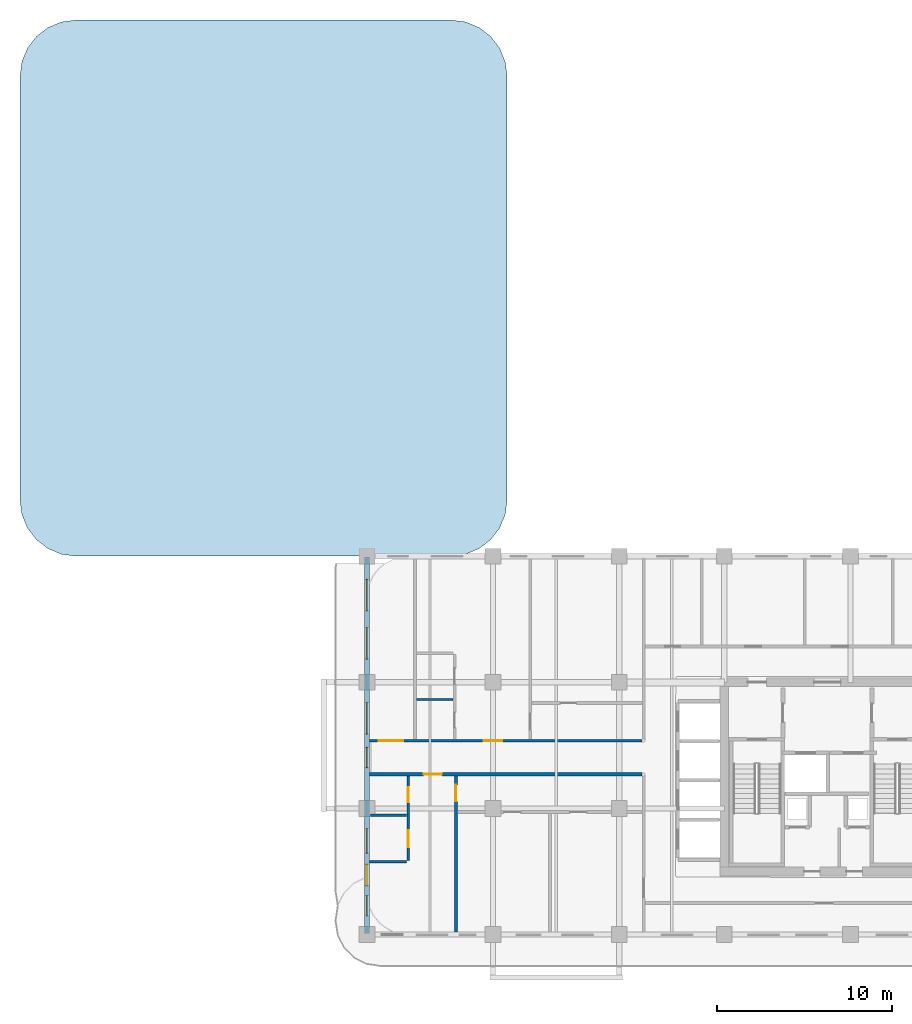
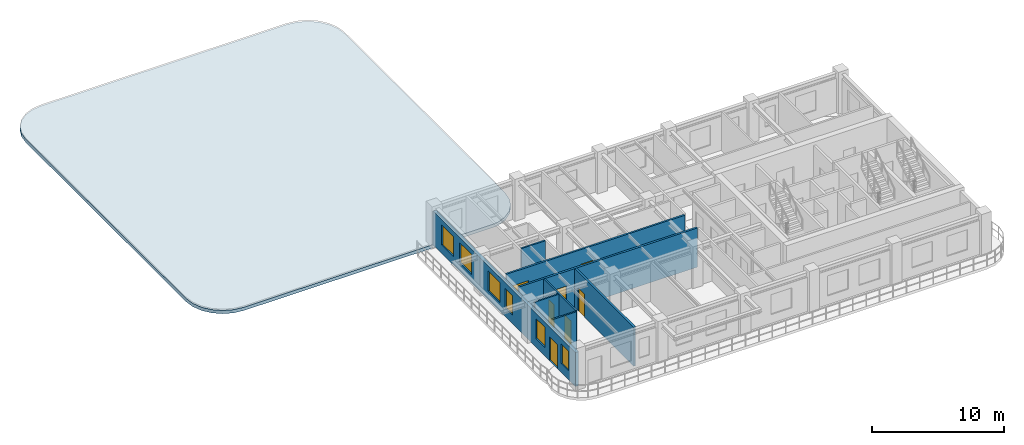
# One storey, part 2 of 8: 8 walls, 7 doors, 6 windows, 1 slab, 13 openings.
"""IFC4 building model written with IfcOpenShell, lengths in metres."""

from ifc_helpers import new_model, si_unit, derived_unit, direction, frame, frame_2d, origin, place, context, subcontext, project, spatial, polyline, rectangle, outline, extrude, source, transform, mapped, material, layer, layer_set, type_object, type_shapes, element, fill, save


model = new_model("IFC4")

# Units and contexts
model_context = context("Model", 3, precision=1e-05, world=origin(), true_north=direction((0.0, 1.0)))
body_context = subcontext(model_context, "Body", "Model", "MODEL_VIEW")
ifc_project = project(units=[si_unit("LENGTHUNIT", "METRE"), si_unit("AREAUNIT", "SQUARE_METRE"), si_unit("VOLUMEUNIT", "CUBIC_METRE"), si_unit("PLANEANGLEUNIT", "RADIAN"), si_unit("MASSUNIT", "GRAM", prefix="KILO"), si_unit("THERMODYNAMICTEMPERATUREUNIT", "KELVIN"), si_unit("POWERUNIT", "WATT"), derived_unit("THERMALTRANSMITTANCEUNIT", [(si_unit("POWERUNIT", "WATT"), 1), (si_unit("AREAUNIT", "SQUARE_METRE"), -1), (si_unit("THERMODYNAMICTEMPERATUREUNIT", "KELVIN"), -1)])], contexts=[model_context])

# Site, building, storey
site_placement = place(None, origin())
site = spatial("IfcSite", under=ifc_project, at=site_placement, CompositionType="ELEMENT")
building_placement = place(site_placement, origin())
building = spatial("IfcBuilding", under=site, at=building_placement, Name="Zahravan Archway Hotel and Residences", CompositionType="ELEMENT")
storey_placement = place(building_placement, frame((0.0, 0.0, 213.449951171875)))
storey = spatial("IfcBuildingStorey", under=building, at=storey_placement, Name="L53", CompositionType="ELEMENT", Elevation=213.449951171875)

# Slab
ifc_material_1 = material(Name="Concrete C50/60", Category="concrete")
ifc_layer_1 = layer(ifc_material_1, 0.300048828125, Name="Concrete C50/60", Category="concrete")
ifc_layer_set_1 = layer_set([ifc_layer_1], Name="Concrete C50/60")
slab_type = type_object("IfcSlabType", Name="SLB-ROOF-300", PredefinedType="ROOF", material=ifc_layer_set_1)
slab_placement = place(storey_placement, frame((0.0, 0.0, -0.300048828125)))
element("IfcSlab", 1, at=slab_placement, inside=storey, type_object=slab_type, Name="Wing B Overhanging Flat Shading Roof Canopy Slab 300 mm", PredefinedType="ROOF", context=body_context, shape_type="SweptSolid", body=[
    extrude(outline(polyline([(-2.199951171875, 21.60009765625), (-3.0283203125, 21.708984375), (-3.800048828125, 22.02880859375), (-4.462646484375, 22.537353515625), (-4.97119140625, 23.199951171875), (-5.291015625, 23.9716796875), (-5.39990234375, 24.800048828125), (-5.39990234375, 49.0), (-5.291015625, 49.828125), (-4.97119140625, 50.60009765625), (-4.462646484375, 51.2626953125), (-3.800048828125, 51.771240234375), (-3.0283203125, 52.091064453125), (-2.199951171875, 52.199951171875), (19.199951171875, 52.199951171875), (20.0283203125, 52.091064453125), (20.800048828125, 51.771240234375), (21.462646484375, 51.2626953125), (21.97119140625, 50.60009765625), (22.291015625, 49.828125), (22.39990234375, 49.0), (22.39990234375, 24.800048828125), (22.291015625, 23.9716796875), (21.97119140625, 23.199951171875), (21.462646484375, 22.537353515625), (20.800048828125, 22.02880859375), (20.0283203125, 21.708984375), (19.656005859375, 21.659912109375), (16.800048828125, 21.659912109375), (16.794189453125, 21.65966796875), (16.325927734375, 21.613525390625), (16.320068359375, 21.61279296875), (16.314453125, 21.611328125), (16.277099609375, 21.60009765625), (-2.199951171875, 21.60009765625)])), origin(), (0.0, 0.0, 1.0), 0.300048828125),
])

# Wall, openings, door, windows
ifc_material_2 = material(Name="Honed Red-Ochre Sandstone & Insulated Block", Category="masonry")
ifc_layer_2 = layer(ifc_material_2, 0.280029296875, Name="Honed Red-Ochre Sandstone & Insulated Block", Category="masonry")
ifc_layer_set_2 = layer_set([ifc_layer_2], Name="Honed Red-Ochre Sandstone & Insulated Block")
wall_type_1 = type_object("IfcWallType", Name="EW-LOG-280", PredefinedType="SOLIDWALL", material=ifc_layer_set_2)
wall_1_placement = place(storey_placement, frame((14.39990234375, 0.050048828125, 0.0), z_axis=(0.0, 0.0, 1.0), x_axis=(0.0, 1.0, 0.0)))
wall_1 = element("IfcWall", 2, at=wall_1_placement, inside=storey, type_object=wall_type_1, Name="L53 Exterior Sandstone Wall WA-W", PredefinedType="SOLIDWALL", context=body_context, shape_type="SweptSolid", body=[
    extrude(rectangle(XDim=21.5, YDim=0.280029296875, at=frame_2d((10.75, 0.0))), origin(), (0.0, 0.0, 1.0), 3.135009765625),
])
opening_1_placement = place(wall_1_placement, frame((2.75, 0.0, 0.0)))
opening_1 = element("IfcOpeningElement", 3, at=opening_1_placement, cuts=wall_1, Name="Opening ED-BL1", PredefinedType="OPENING", context=body_context, shape_type="SweptSolid", body=[
    extrude(rectangle(XDim=1.199951171875, YDim=2.199951171875, at=frame_2d((0.60009765625, 1.10009765625))), frame((0.0, 0.14990234375, 0.0), z_axis=(0.0, -1.0, 0.0), x_axis=(1.0, 0.0, 0.0)), (0.0, 0.0, 1.0), 0.300048828125),
])
opening_2_placement = place(wall_1_placement, frame((1.02490234375, 0.0, 0.800048828125)))
opening_2 = element("IfcOpeningElement", 4, at=opening_2_placement, cuts=wall_1, Name="Opening W-05", PredefinedType="OPENING", context=body_context, shape_type="SweptSolid", body=[
    extrude(rectangle(XDim=1.14990234375, YDim=1.800048828125, at=frame_2d((0.574951171875, 0.89990234375))), frame((0.0, 0.14990234375, 0.0), z_axis=(0.0, -1.0, 0.0), x_axis=(1.0, 0.0, 0.0)), (0.0, 0.0, 1.0), 0.300048828125),
])
opening_3_placement = place(wall_1_placement, frame((4.60009765625, 0.0, 0.800048828125)))
opening_3 = element("IfcOpeningElement", 5, at=opening_3_placement, cuts=wall_1, Name="Opening W-03", PredefinedType="OPENING", context=body_context, shape_type="SweptSolid", body=[
    extrude(rectangle(XDim=1.39990234375, YDim=1.85009765625, at=frame_2d((0.699951171875, 0.925048828125))), frame((0.0, 0.14990234375, 0.0), z_axis=(0.0, -1.0, 0.0), x_axis=(1.0, 0.0, 0.0)), (0.0, 0.0, 1.0), 0.300048828125),
])
opening_4_placement = place(wall_1_placement, frame((9.485107421875, 0.0, 0.800048828125)))
opening_4 = element("IfcOpeningElement", 6, at=opening_4_placement, cuts=wall_1, Name="Opening W-05", PredefinedType="OPENING", context=body_context, shape_type="SweptSolid", body=[
    extrude(rectangle(XDim=1.14990234375, YDim=1.800048828125, at=frame_2d((0.574951171875, 0.89990234375))), frame((0.0, 0.14990234375, 0.0), z_axis=(0.0, -1.0, 0.0), x_axis=(1.0, 0.0, 0.0)), (0.0, 0.0, 1.0), 0.300048828125),
])
opening_5_placement = place(wall_1_placement, frame((11.388916015625, 0.0, 0.800048828125)))
opening_5 = element("IfcOpeningElement", 7, at=opening_5_placement, cuts=wall_1, Name="Opening W-02", PredefinedType="OPENING", context=body_context, shape_type="SweptSolid", body=[
    extrude(rectangle(XDim=1.800048828125, YDim=1.85009765625, at=frame_2d((0.89990234375, 0.925048828125))), frame((0.0, 0.14990234375, 0.0), z_axis=(0.0, -1.0, 0.0), x_axis=(1.0, 0.0, 0.0)), (0.0, 0.0, 1.0), 0.300048828125),
])
opening_6_placement = place(wall_1_placement, frame((15.675048828125, 0.0, 0.800048828125)))
opening_6 = element("IfcOpeningElement", 8, at=opening_6_placement, cuts=wall_1, Name="Opening W-02", PredefinedType="OPENING", context=body_context, shape_type="SweptSolid", body=[
    extrude(rectangle(XDim=1.800048828125, YDim=1.85009765625, at=frame_2d((0.89990234375, 0.925048828125))), frame((0.0, 0.14990234375, 0.0), z_axis=(0.0, -1.0, 0.0), x_axis=(1.0, 0.0, 0.0)), (0.0, 0.0, 1.0), 0.300048828125),
])
opening_7_placement = place(wall_1_placement, frame((18.425048828125, 0.0, 0.800048828125)))
opening_7 = element("IfcOpeningElement", 9, at=opening_7_placement, cuts=wall_1, Name="Opening W-02", PredefinedType="OPENING", context=body_context, shape_type="SweptSolid", body=[
    extrude(rectangle(XDim=1.800048828125, YDim=1.85009765625, at=frame_2d((0.89990234375, 0.925048828125))), frame((0.0, 0.14990234375, 0.0), z_axis=(0.0, -1.0, 0.0), x_axis=(1.0, 0.0, 0.0)), (0.0, 0.0, 1.0), 0.300048828125),
])
ifc_material_3 = material(Name="Bronze-Anodized Glazed Aluminium", Category="aluminium")
door_type_1 = type_object("IfcDoorType", Name="ED-BALC-1200", OperationType="SLIDING_TO_LEFT", PredefinedType="DOOR", material=ifc_material_3)
shared_shape_1 = source(origin(), body_context, "Body", "SweptSolid", [
    extrude(rectangle(XDim=1.199951171875, YDim=2.199951171875, at=frame_2d((0.60009765625, 1.10009765625))), frame((0.0, 0.02490234375, 0.0), z_axis=(0.0, -1.0, 0.0), x_axis=(1.0, 0.0, 0.0)), (0.0, 0.0, 1.0), 0.050048828125),
])
type_shapes(door_type_1, [shared_shape_1])
door_1_placement = place(opening_1_placement, origin())
door_1 = element("IfcDoor", 10, at=door_1_placement, inside=storey, type_object=door_type_1, Name="L53 Outdoor Access Sliding Door (SLB-BAL-L53-WA)", OperationType="SLIDING_TO_LEFT", OverallHeight=2.199951171875, OverallWidth=1.199951171875, PredefinedType="DOOR", context=body_context, shape_type="MappedRepresentation", body=[
    mapped(shared_shape_1, transform((0.0, 0.0, 0.0), scale=1.0)),
])
fill(opening_1, door_1)
ifc_material_4 = material(Name="Bronze-Anodized Thermal-Break Aluminium & Low-E Glass", Category="aluminium")
window_type_1 = type_object("IfcWindowType", Name="WIN-TWR-1400", PartitioningType="SINGLE_PANEL", PredefinedType="WINDOW", material=ifc_material_4)
shared_shape_2 = source(origin(), body_context, "Body", "SweptSolid", [
    extrude(rectangle(XDim=1.39990234375, YDim=1.85009765625, at=frame_2d((0.699951171875, 0.925048828125))), frame((0.0, 0.030029296875, 0.0), z_axis=(0.0, -1.0, 0.0), x_axis=(1.0, 0.0, 0.0)), (0.0, 0.0, 1.0), 0.06005859375),
])
type_shapes(window_type_1, [shared_shape_2])
window_1_placement = place(opening_3_placement, origin())
window_1 = element("IfcWindow", 11, at=window_1_placement, inside=storey, type_object=window_type_1, Name="L53 Loggia Window 21", OverallHeight=1.85009765625, OverallWidth=1.39990234375, PartitioningType="SINGLE_PANEL", PredefinedType="WINDOW", context=body_context, shape_type="MappedRepresentation", body=[
    mapped(shared_shape_2, transform((0.0, 0.0, 0.0), scale=1.0)),
])
fill(opening_3, window_1)
window_type_2 = type_object("IfcWindowType", Name="WIN-TWR-1800", PartitioningType="DOUBLE_PANEL_VERTICAL", PredefinedType="WINDOW", material=ifc_material_4)
shared_shape_3 = source(origin(), body_context, "Body", "SweptSolid", [
    extrude(rectangle(XDim=1.800048828125, YDim=1.85009765625, at=frame_2d((0.89990234375, 0.925048828125))), frame((0.0, 0.030029296875, 0.0), z_axis=(0.0, -1.0, 0.0), x_axis=(1.0, 0.0, 0.0)), (0.0, 0.0, 1.0), 0.06005859375),
])
type_shapes(window_type_2, [shared_shape_3])
window_2_placement = place(opening_5_placement, origin())
window_2 = element("IfcWindow", 12, at=window_2_placement, inside=storey, type_object=window_type_2, Name="L53 Loggia Window 23", OverallHeight=1.85009765625, OverallWidth=1.800048828125, PartitioningType="DOUBLE_PANEL_VERTICAL", PredefinedType="WINDOW", context=body_context, shape_type="MappedRepresentation", body=[
    mapped(shared_shape_3, transform((0.0, 0.0, 0.0), scale=1.0)),
])
fill(opening_5, window_2)
window_3_placement = place(opening_6_placement, origin())
window_3 = element("IfcWindow", 13, at=window_3_placement, inside=storey, type_object=window_type_2, Name="L53 Loggia Window 24", OverallHeight=1.85009765625, OverallWidth=1.800048828125, PartitioningType="DOUBLE_PANEL_VERTICAL", PredefinedType="WINDOW", context=body_context, shape_type="MappedRepresentation", body=[
    mapped(shared_shape_3, transform((0.0, 0.0, 0.0), scale=1.0)),
])
fill(opening_6, window_3)
window_4_placement = place(opening_7_placement, origin())
window_4 = element("IfcWindow", 14, at=window_4_placement, inside=storey, type_object=window_type_2, Name="L53 Loggia Window 25", OverallHeight=1.85009765625, OverallWidth=1.800048828125, PartitioningType="DOUBLE_PANEL_VERTICAL", PredefinedType="WINDOW", context=body_context, shape_type="MappedRepresentation", body=[
    mapped(shared_shape_3, transform((0.0, 0.0, 0.0), scale=1.0)),
])
fill(opening_7, window_4)
window_type_3 = type_object("IfcWindowType", Name="WIN-TWR-1150", PartitioningType="SINGLE_PANEL", PredefinedType="WINDOW", material=ifc_material_4)
shared_shape_4 = source(origin(), body_context, "Body", "SweptSolid", [
    extrude(rectangle(XDim=1.14990234375, YDim=1.800048828125, at=frame_2d((0.574951171875, 0.89990234375))), frame((0.0, 0.030029296875, 0.0), z_axis=(0.0, -1.0, 0.0), x_axis=(1.0, 0.0, 0.0)), (0.0, 0.0, 1.0), 0.06005859375),
])
type_shapes(window_type_3, [shared_shape_4])
window_5_placement = place(opening_2_placement, origin())
window_5 = element("IfcWindow", 15, at=window_5_placement, inside=storey, type_object=window_type_3, Name="L53 Loggia Window 20", OverallHeight=1.800048828125, OverallWidth=1.14990234375, PartitioningType="SINGLE_PANEL", PredefinedType="WINDOW", context=body_context, shape_type="MappedRepresentation", body=[
    mapped(shared_shape_4, transform((0.0, 0.0, 0.0), scale=1.0)),
])
fill(opening_2, window_5)
window_6_placement = place(opening_4_placement, origin())
window_6 = element("IfcWindow", 16, at=window_6_placement, inside=storey, type_object=window_type_3, Name="L53 Loggia Window 22", OverallHeight=1.800048828125, OverallWidth=1.14990234375, PartitioningType="SINGLE_PANEL", PredefinedType="WINDOW", context=body_context, shape_type="MappedRepresentation", body=[
    mapped(shared_shape_4, transform((0.0, 0.0, 0.0), scale=1.0)),
])
fill(opening_4, window_6)

# Wall, openings, doors
ifc_material_5 = material(Name="Fire-Rated Gypsum & Concrete Block", Category="concrete")
ifc_layer_3 = layer(ifc_material_5, 0.159912109375, Name="Fire-Rated Gypsum & Concrete Block", Category="concrete")
ifc_layer_set_3 = layer_set([ifc_layer_3], Name="Fire-Rated Gypsum & Concrete Block")
wall_type_2 = type_object("IfcWallType", Name="PW-CORR-160", PredefinedType="PARTITIONING", material=ifc_layer_set_3)
wall_2_placement = place(storey_placement, frame((14.548095703125, 11.070068359375, 0.0), z_axis=(0.0, 0.0, 1.0), x_axis=(1.0, 0.0, 0.0)))
wall_2 = element("IfcWall", 17, at=wall_2_placement, inside=storey, type_object=wall_type_2, Name="L53 Partition WA-CN", PredefinedType="PARTITIONING", context=body_context, shape_type="SweptSolid", body=[
    extrude(rectangle(XDim=15.56201171875, YDim=0.159912109375, at=frame_2d((7.781005859375, 0.0))), origin(), (0.0, 0.0, 1.0), 3.60009765625),
])
opening_8_placement = place(wall_2_placement, frame((0.527099609375, 0.0, 0.0)))
opening_8 = element("IfcOpeningElement", 18, at=opening_8_placement, cuts=wall_2, Name="Opening D-P1", PredefinedType="OPENING", context=body_context, shape_type="SweptSolid", body=[
    extrude(rectangle(XDim=1.39990234375, YDim=2.35009765625, at=frame_2d((0.699951171875, 1.175048828125))), frame((0.0, 0.08984375, 0.0), z_axis=(0.0, -1.0, 0.0), x_axis=(1.0, 0.0, 0.0)), (0.0, 0.0, 1.0), 0.179931640625),
])
opening_9_placement = place(wall_2_placement, frame((6.527099609375, 0.0, 0.0)))
opening_9 = element("IfcOpeningElement", 19, at=opening_9_placement, cuts=wall_2, Name="Opening D-U1", PredefinedType="OPENING", context=body_context, shape_type="SweptSolid", body=[
    extrude(rectangle(XDim=1.050048828125, YDim=2.25, at=frame_2d((0.52490234375, 1.125))), frame((0.0, 0.08984375, 0.0), z_axis=(0.0, -1.0, 0.0), x_axis=(1.0, 0.0, 0.0)), (0.0, 0.0, 1.0), 0.179931640625),
])
door_type_2 = type_object("IfcDoorType", Name="ID-PUBLIC-1400", OperationType="DOUBLE_DOOR_SINGLE_SWING", PredefinedType="DOOR", material=ifc_material_3)
shared_shape_5 = source(origin(), body_context, "Body", "SweptSolid", [
    extrude(rectangle(XDim=1.39990234375, YDim=2.35009765625, at=frame_2d((0.699951171875, 1.175048828125))), frame((0.0, 0.02490234375, 0.0), z_axis=(0.0, -1.0, 0.0), x_axis=(1.0, 0.0, 0.0)), (0.0, 0.0, 1.0), 0.050048828125),
])
type_shapes(door_type_2, [shared_shape_5])
door_2_placement = place(opening_8_placement, origin())
door_2 = element("IfcDoor", 20, at=door_2_placement, inside=storey, type_object=door_type_2, Name="L53 North Sky Fitness Door", OperationType="DOUBLE_DOOR_SINGLE_SWING", OverallHeight=2.35009765625, OverallWidth=1.39990234375, PredefinedType="DOOR", context=body_context, shape_type="MappedRepresentation", body=[
    mapped(shared_shape_5, transform((0.0, 0.0, 0.0), scale=1.0)),
])
fill(opening_8, door_2)
ifc_material_6 = material(Name="Hardwood Veneer Timber", Category="wood")
door_type_3 = type_object("IfcDoorType", Name="ID-UNIT-1050", OperationType="NOTDEFINED", PredefinedType="DOOR", material=ifc_material_6)
shared_shape_6 = source(origin(), body_context, "Body", "SweptSolid", [
    extrude(rectangle(XDim=1.050048828125, YDim=2.25, at=frame_2d((0.52490234375, 1.125))), frame((0.0, 0.02490234375, 0.0), z_axis=(0.0, -1.0, 0.0), x_axis=(1.0, 0.0, 0.0)), (0.0, 0.0, 1.0), 0.050048828125),
])
type_shapes(door_type_3, [shared_shape_6])
door_3_placement = place(opening_9_placement, origin())
door_3 = element("IfcDoor", 21, at=door_3_placement, inside=storey, type_object=door_type_3, Name="L53 Flat N1 Entrance Door", OperationType="SINGLE_SWING_LEFT", OverallHeight=2.25, OverallWidth=1.050048828125, PredefinedType="DOOR", context=body_context, shape_type="MappedRepresentation", body=[
    mapped(shared_shape_6, transform((0.0, 0.0, 0.0), scale=1.0)),
])
fill(opening_9, door_3)

# Wall, opening, door
ifc_layer_4 = layer(ifc_material_5, 0.179931640625, Name="Fire-Rated Gypsum & Concrete Block", Category="concrete")
ifc_layer_set_4 = layer_set([ifc_layer_4], Name="Fire-Rated Gypsum & Concrete Block")
wall_type_3 = type_object("IfcWallType", Name="PW-CORR-180", PredefinedType="PARTITIONING", material=ifc_layer_set_4)
wall_3_placement = place(storey_placement, frame((14.548095703125, 9.14990234375, 0.0), z_axis=(0.0, 0.0, 1.0), x_axis=(1.0, 0.0, 0.0)))
wall_3 = element("IfcWall", 22, at=wall_3_placement, inside=storey, type_object=wall_type_3, Name="L53 Partition WA-CS", PredefinedType="PARTITIONING", context=body_context, shape_type="SweptSolid", body=[
    extrude(rectangle(XDim=15.56201171875, YDim=0.179931640625, at=frame_2d((7.781005859375, 0.0))), origin(), (0.0, 0.0, 1.0), 3.60009765625),
])
opening_10_placement = place(wall_3_placement, frame((3.08203125, 0.0, 0.0)))
opening_10 = element("IfcOpeningElement", 23, at=opening_10_placement, cuts=wall_3, Name="Opening D-U1", PredefinedType="OPENING", context=body_context, shape_type="SweptSolid", body=[
    extrude(rectangle(XDim=1.050048828125, YDim=2.25, at=frame_2d((0.52490234375, 1.125))), frame((0.0, 0.10009765625, 0.0), z_axis=(0.0, -1.0, 0.0), x_axis=(1.0, 0.0, 0.0)), (0.0, 0.0, 1.0), 0.199951171875),
])
door_4_placement = place(opening_10_placement, origin())
door_4 = element("IfcDoor", 24, at=door_4_placement, inside=storey, type_object=door_type_3, Name="L53 Flat S1 Entrance Door", OperationType="SINGLE_SWING_LEFT", OverallHeight=2.25, OverallWidth=1.050048828125, PredefinedType="DOOR", context=body_context, shape_type="MappedRepresentation", body=[
    mapped(shared_shape_6, transform((0.0, 0.0, 0.0), scale=1.0)),
])
fill(opening_10, door_4)

ifc_material_7 = material(Name="Acoustic Stud Partition")
ifc_layer_5 = layer(ifc_material_7, 0.169921875, Name="Acoustic Stud Partition")
ifc_layer_set_5 = layer_set([ifc_layer_5], Name="Acoustic Stud Partition")
wall_type_4 = type_object("IfcWallType", Name="PW-UNIT-170", PredefinedType="PARTITIONING", material=ifc_layer_set_5)
wall_4_placement = place(storey_placement, frame((19.47998046875, 0.14794921875, 0.0), z_axis=(0.0, 0.0, 1.0), x_axis=(0.0, 1.0, 0.0)))
wall_4 = element("IfcWall", 25, at=wall_4_placement, inside=storey, type_object=wall_type_4, Name="L53 Partition FL-S1-SP", PredefinedType="PARTITIONING", context=body_context, shape_type="SweptSolid", body=[
    extrude(rectangle(XDim=8.912109375, YDim=0.169921875, at=frame_2d((4.4560546875, 0.0))), origin(), (0.0, 0.0, 1.0), 3.60009765625),
])
opening_11_placement = place(wall_4_placement, frame((7.451904296875, 0.0, 0.0)))
opening_11 = element("IfcOpeningElement", 26, at=opening_11_placement, cuts=wall_4, Name="Opening D-I1", PredefinedType="OPENING", context=body_context, shape_type="SweptSolid", body=[
    extrude(rectangle(XDim=0.949951171875, YDim=2.14990234375, at=frame_2d((0.47509765625, 1.074951171875))), frame((0.0, 0.094970703125, 0.0), z_axis=(0.0, -1.0, 0.0), x_axis=(1.0, 0.0, 0.0)), (0.0, 0.0, 1.0), 0.18994140625),
])
door_type_4 = type_object("IfcDoorType", Name="ID-INT-950", OperationType="NOTDEFINED", PredefinedType="DOOR", material=ifc_material_6)
shared_shape_7 = source(origin(), body_context, "Body", "SweptSolid", [
    extrude(rectangle(XDim=0.949951171875, YDim=2.14990234375, at=frame_2d((0.47509765625, 1.074951171875))), frame((0.0, 0.02490234375, 0.0), z_axis=(0.0, -1.0, 0.0), x_axis=(1.0, 0.0, 0.0)), (0.0, 0.0, 1.0), 0.050048828125),
])
type_shapes(door_type_4, [shared_shape_7])
door_5_placement = place(opening_11_placement, origin())
door_5 = element("IfcDoor", 27, at=door_5_placement, inside=storey, type_object=door_type_4, Name="L53 Flat S1 Bedroom Hall Door", OperationType="SINGLE_SWING_RIGHT", OverallHeight=2.14990234375, OverallWidth=0.949951171875, PredefinedType="DOOR", context=body_context, shape_type="MappedRepresentation", body=[
    mapped(shared_shape_7, transform((0.0, 0.0, 0.0), scale=1.0)),
])
fill(opening_11, door_5)

# Wall, openings, doors
ifc_material_8 = material(Name="Moisture-Resistant Blockwork", Category="masonry")
ifc_layer_6 = layer(ifc_material_8, 0.139892578125, Name="Moisture-Resistant Blockwork", Category="masonry")
ifc_layer_set_6 = layer_set([ifc_layer_6], Name="Moisture-Resistant Blockwork")
wall_type_5 = type_object("IfcWallType", Name="PW-WET-140", PredefinedType="PARTITIONING", material=ifc_layer_set_6)
wall_5_placement = place(storey_placement, frame((16.75, 4.239990234375, 0.0), z_axis=(0.0, 0.0, 1.0), x_axis=(0.0, 1.0, 0.0)))
wall_5 = element("IfcWall", 28, at=wall_5_placement, inside=storey, type_object=wall_type_5, Name="L53 Partition FL-S1-BV", PredefinedType="PARTITIONING", context=body_context, shape_type="SweptSolid", body=[
    extrude(rectangle(XDim=4.820068359375, YDim=0.139892578125, at=frame_2d((2.41015625, 0.0))), origin(), (0.0, 0.0, 1.0), 3.60009765625),
])
opening_12_placement = place(wall_5_placement, frame((0.760009765625, 0.0, 0.0)))
opening_12 = element("IfcOpeningElement", 29, at=opening_12_placement, cuts=wall_5, Name="Opening D-I1", PredefinedType="OPENING", context=body_context, shape_type="SweptSolid", body=[
    extrude(rectangle(XDim=0.949951171875, YDim=2.14990234375, at=frame_2d((0.47509765625, 1.074951171875))), frame((0.0, 0.080078125, 0.0), z_axis=(0.0, -1.0, 0.0), x_axis=(1.0, 0.0, 0.0)), (0.0, 0.0, 1.0), 0.159912109375),
])
opening_13_placement = place(wall_5_placement, frame((3.31005859375, 0.0, 0.0)))
opening_13 = element("IfcOpeningElement", 30, at=opening_13_placement, cuts=wall_5, Name="Opening D-B1", PredefinedType="OPENING", context=body_context, shape_type="SweptSolid", body=[
    extrude(rectangle(XDim=0.85009765625, YDim=2.10009765625, at=frame_2d((0.425048828125, 1.050048828125))), frame((0.0, 0.080078125, 0.0), z_axis=(0.0, -1.0, 0.0), x_axis=(1.0, 0.0, 0.0)), (0.0, 0.0, 1.0), 0.159912109375),
])
door_type_5 = type_object("IfcDoorType", Name="ID-BATH-850", OperationType="NOTDEFINED", PredefinedType="DOOR", material=ifc_material_6)
shared_shape_8 = source(origin(), body_context, "Body", "SweptSolid", [
    extrude(rectangle(XDim=0.85009765625, YDim=2.10009765625, at=frame_2d((0.425048828125, 1.050048828125))), frame((0.0, 0.02490234375, 0.0), z_axis=(0.0, -1.0, 0.0), x_axis=(1.0, 0.0, 0.0)), (0.0, 0.0, 1.0), 0.050048828125),
])
type_shapes(door_type_5, [shared_shape_8])
door_6_placement = place(opening_13_placement, origin())
door_6 = element("IfcDoor", 31, at=door_6_placement, inside=storey, type_object=door_type_5, Name="L53 Flat S1 Bathroom Door", OperationType="SINGLE_SWING_RIGHT", OverallHeight=2.10009765625, OverallWidth=0.85009765625, PredefinedType="DOOR", context=body_context, shape_type="MappedRepresentation", body=[
    mapped(shared_shape_8, transform((0.0, 0.0, 0.0), scale=1.0)),
])
fill(opening_13, door_6)
door_7_placement = place(opening_12_placement, origin())
door_7 = element("IfcDoor", 32, at=door_7_placement, inside=storey, type_object=door_type_4, Name="L53 Flat S1 Kitchen Door", OperationType="SINGLE_SWING_LEFT", OverallHeight=2.14990234375, OverallWidth=0.949951171875, PredefinedType="DOOR", context=body_context, shape_type="MappedRepresentation", body=[
    mapped(shared_shape_7, transform((0.0, 0.0, 0.0), scale=1.0)),
])
fill(opening_12, door_7)

# Walls
wall_6_placement = place(storey_placement, frame((14.590087890625, 6.800048828125, 0.0), z_axis=(0.0, 0.0, 1.0), x_axis=(1.0, 0.0, 0.0)))
element("IfcWall", 33, at=wall_6_placement, inside=storey, type_object=wall_type_5, Name="L53 Partition FL-S1-BM", PredefinedType="PARTITIONING", context=body_context, shape_type="SweptSolid", body=[
    extrude(rectangle(XDim=2.06982421875, YDim=0.139892578125, at=frame_2d((1.034912109375, 0.0))), origin(), (0.0, 0.0, 1.0), 3.60009765625),
])
wall_7_placement = place(storey_placement, frame((14.548095703125, 4.14990234375, 0.0), z_axis=(0.0, 0.0, 1.0), x_axis=(1.0, 0.0, 0.0)))
element("IfcWall", 34, at=wall_7_placement, inside=storey, type_object=wall_type_5, Name="L53 Partition FL-S1-KH", PredefinedType="PARTITIONING", context=body_context, shape_type="SweptSolid", body=[
    extrude(rectangle(XDim=2.11181640625, YDim=0.139892578125, at=frame_2d((1.055908203125, 0.0))), origin(), (0.0, 0.0, 1.0), 3.60009765625),
])
wall_8_placement = place(storey_placement, frame((17.239990234375, 13.419921875, 0.0), z_axis=(0.0, 0.0, 1.0), x_axis=(1.0, 0.0, 0.0)))
element("IfcWall", 35, at=wall_8_placement, inside=storey, type_object=wall_type_5, Name="L53 Partition FL-N1-BM", PredefinedType="PARTITIONING", context=body_context, shape_type="SweptSolid", body=[
    extrude(rectangle(XDim=2.070068359375, YDim=0.139892578125, at=frame_2d((1.03515625, 0.0))), origin(), (0.0, 0.0, 1.0), 3.60009765625),
])

save(model, "model.ifc")
